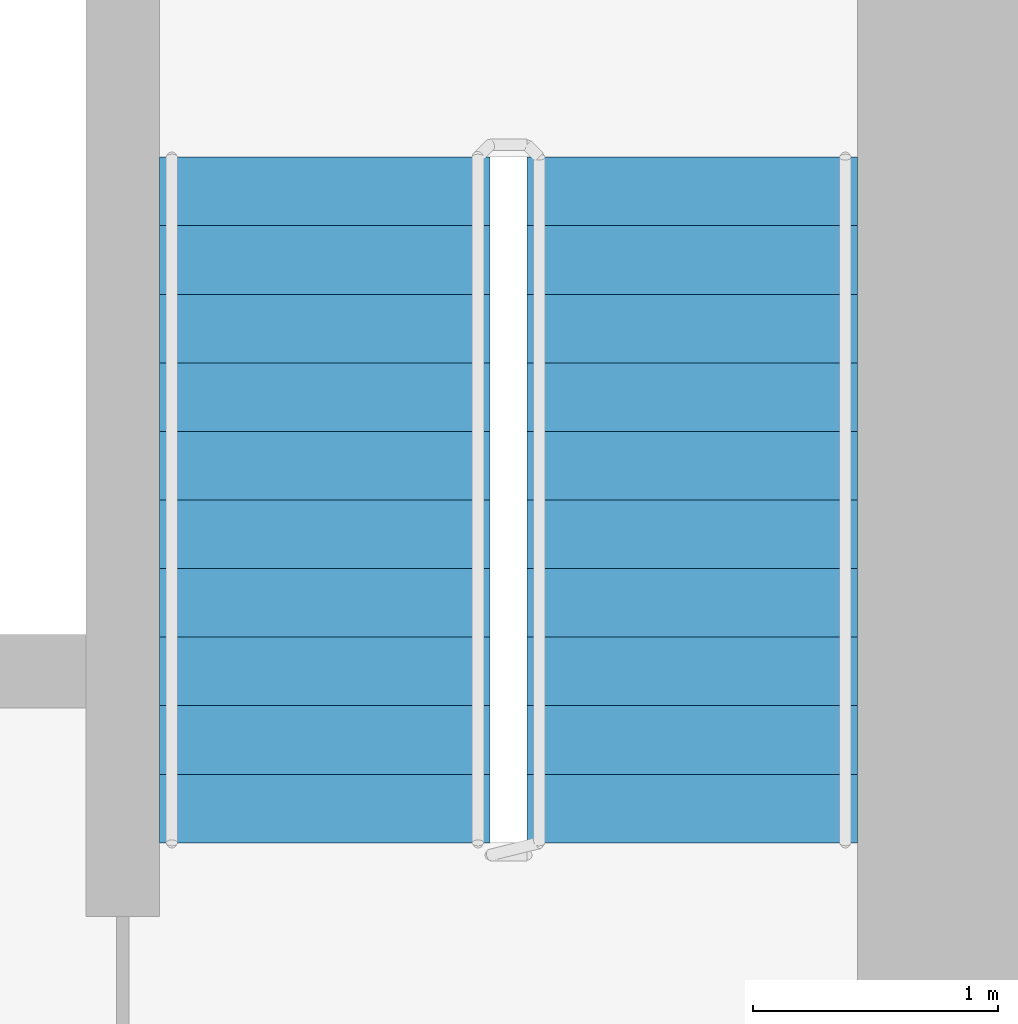
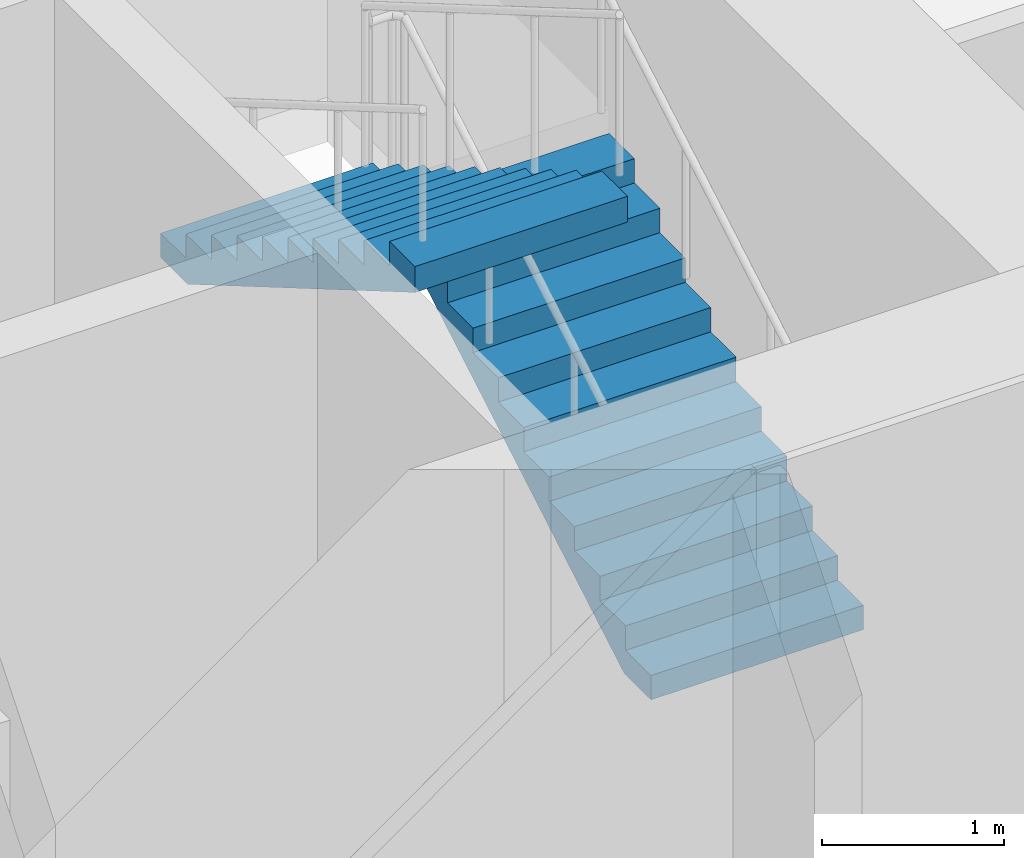
# One storey, part 13 of 18: 2 stair flights, 1 element without a shape of its own.
"""IFC4 building model written with IfcOpenShell, lengths in metres."""

from ifc_helpers import new_model, si_unit, direction, frame, origin, place, context, subcontext, project, spatial, polyline, outline, extrude, material, type_object, element, aggregate, save


model = new_model("IFC4")

# Units and contexts
model_context = context("Model", 3, precision=1e-05, world=origin(), true_north=direction((0.0, 1.0)))
body_context = subcontext(model_context, "Body", "Model", "MODEL_VIEW")
ifc_project = project(units=[si_unit("LENGTHUNIT", "METRE"), si_unit("AREAUNIT", "SQUARE_METRE"), si_unit("VOLUMEUNIT", "CUBIC_METRE"), si_unit("PLANEANGLEUNIT", "RADIAN"), si_unit("MASSUNIT", "GRAM", prefix="KILO")], contexts=[model_context])

# Site, building, storey
site_placement = place(None, origin())
site = spatial("IfcSite", under=ifc_project, at=site_placement, CompositionType="ELEMENT")
building_placement = place(site_placement, origin())
building = spatial("IfcBuilding", under=site, at=building_placement, Name="Finial Court Residences", CompositionType="ELEMENT")
storey_placement = place(building_placement, frame((0.0, 0.0, 57.699951171875)))
storey = spatial("IfcBuildingStorey", under=building, at=storey_placement, Name="L13", CompositionType="ELEMENT", Elevation=57.699951171875)

# Stair, stair flights
ifc_material = material(Name="Concrete C50/60", Category="concrete")
stair_type = type_object("IfcStairType", Name="Exit stair 22 risers of 163.6 mm", PredefinedType="HALF_TURN_STAIR", material=ifc_material)
stair_placement = place(storey_placement, origin())
stair = element("IfcStair", 1, at=stair_placement, inside=storey, type_object=stair_type, Name="L13 Exit stair ST-2", PredefinedType="HALF_TURN_STAIR")
stair_flight_type = type_object("IfcStairFlightType", Name="Exit stair flight", PredefinedType="STRAIGHT", material=ifc_material)
stair_flight_1_placement = place(storey_placement, frame((11.925048828125, -23.10009765625, 0.0), z_axis=(0.0, 0.0, 1.0), x_axis=(0.0, 1.0, 0.0)))
stair_flight_1 = element("IfcStairFlight", 2, at=stair_flight_1_placement, type_object=stair_flight_type, Name="ST-2 flight 1", NumberOfRisers=11, NumberOfTreads=10, PredefinedType="STRAIGHT", RiserHeight=0.163636364, TreadLength=0.28, context=body_context, shape_type="SweptSolid", body=[
    extrude(outline(polyline([(0.0, 0.0), (0.0, 0.16357421875), (0.280029296875, 0.16357421875), (0.280029296875, 0.327392578125), (0.56005859375, 0.327392578125), (0.56005859375, 0.490966796875), (0.840087890625, 0.490966796875), (0.840087890625, 0.654541015625), (1.1201171875, 0.654541015625), (1.1201171875, 0.818115234375), (1.39990234375, 0.818115234375), (1.39990234375, 0.98193359375), (1.679931640625, 0.98193359375), (1.679931640625, 1.1455078125), (1.9599609375, 1.1455078125), (1.9599609375, 1.30908203125), (2.239990234375, 1.30908203125), (2.239990234375, 1.47265625), (2.52001953125, 1.47265625), (2.52001953125, 1.636474609375), (2.800048828125, 1.636474609375), (2.800048828125, 1.800048828125), (2.800048828125, 1.462646484375), (0.297119140625, 0.0), (0.0, 0.0)])), frame((0.0, 0.675048828125, 0.0), z_axis=(0.0, -1.0, 0.0), x_axis=(1.0, 0.0, 0.0)), (0.0, 0.0, 1.0), 1.35009765625),
])
stair_flight_2_placement = place(storey_placement, frame((10.425048828125, -20.300048828125, 1.800048828125), z_axis=(0.0, 0.0, 1.0), x_axis=(0.0, -1.0, 0.0)))
stair_flight_2 = element("IfcStairFlight", 3, at=stair_flight_2_placement, type_object=stair_flight_type, Name="ST-2 flight 2", NumberOfRisers=11, NumberOfTreads=10, PredefinedType="STRAIGHT", RiserHeight=0.163636364, TreadLength=0.28, context=body_context, shape_type="SweptSolid", body=[
    extrude(outline(polyline([(0.0, 0.0), (0.0, 0.16357421875), (0.280029296875, 0.16357421875), (0.280029296875, 0.327392578125), (0.56005859375, 0.327392578125), (0.56005859375, 0.490966796875), (0.840087890625, 0.490966796875), (0.840087890625, 0.654541015625), (1.1201171875, 0.654541015625), (1.1201171875, 0.818115234375), (1.39990234375, 0.818115234375), (1.39990234375, 0.98193359375), (1.679931640625, 0.98193359375), (1.679931640625, 1.1455078125), (1.9599609375, 1.1455078125), (1.9599609375, 1.30908203125), (2.239990234375, 1.30908203125), (2.239990234375, 1.47265625), (2.52001953125, 1.47265625), (2.52001953125, 1.636474609375), (2.800048828125, 1.636474609375), (2.800048828125, 1.800048828125), (2.800048828125, 1.462646484375), (0.297119140625, 0.0), (0.0, 0.0)])), frame((0.0, 0.675048828125, 0.0), z_axis=(0.0, -1.0, 0.0), x_axis=(1.0, 0.0, 0.0)), (0.0, 0.0, 1.0), 1.35009765625),
])
aggregate(stair, [stair_flight_1, stair_flight_2])

save(model, "model.ifc")
